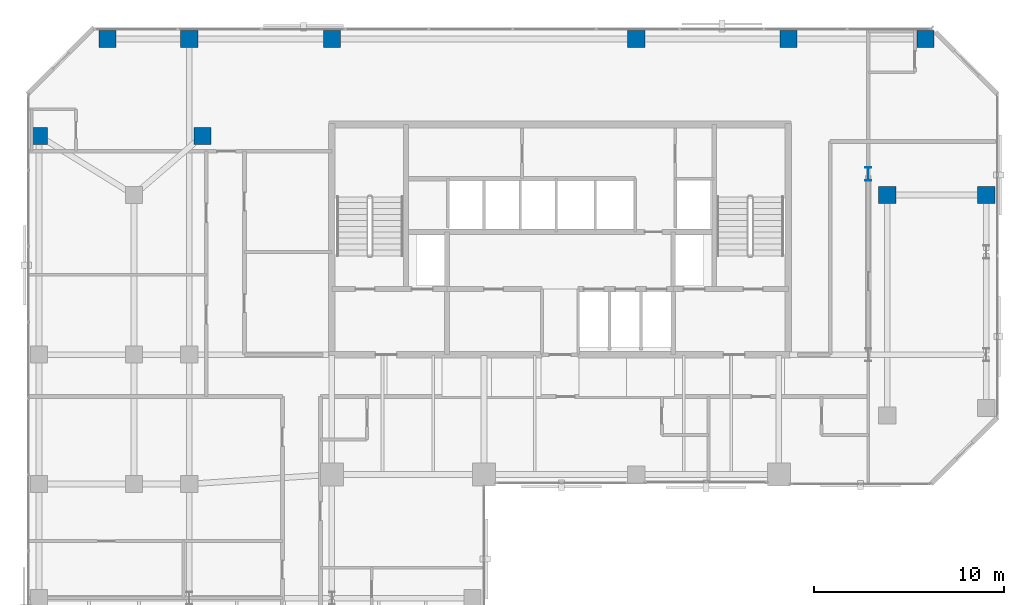
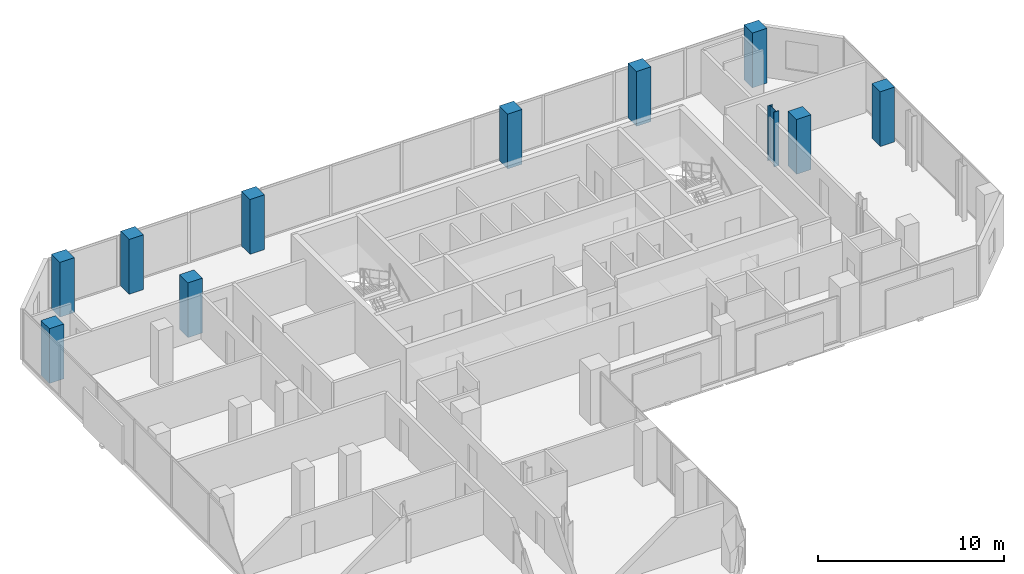
# One storey, part 2 of 33: 11 columns.
"""IFC4 building model written with IfcOpenShell, lengths in metres."""

from ifc_helpers import new_model, si_unit, direction, frame, origin, origin_2d, place, context, subcontext, project, spatial, rectangle, i_section, extrude, material, material_profile, profile_set, type_object, element, save


model = new_model("IFC4")

# Units and contexts
model_context = context("Model", 3, precision=1e-05, world=origin(), true_north=direction((0.0, 1.0)))
body_context = subcontext(model_context, "Body", "Model", "MODEL_VIEW")
ifc_project = project(units=[si_unit("LENGTHUNIT", "METRE"), si_unit("AREAUNIT", "SQUARE_METRE"), si_unit("VOLUMEUNIT", "CUBIC_METRE"), si_unit("PLANEANGLEUNIT", "RADIAN"), si_unit("MASSUNIT", "GRAM", prefix="KILO")], contexts=[model_context])

# Site, building, storey
site_placement = place(None, origin())
site = spatial("IfcSite", under=ifc_project, at=site_placement, CompositionType="ELEMENT")
building_placement = place(site_placement, origin())
building = spatial("IfcBuilding", under=site, at=building_placement, Name="Catumbela Crestline Tower", CompositionType="ELEMENT")
storey_placement = place(building_placement, frame((0.0, 0.0, 100.8)))
storey = spatial("IfcBuildingStorey", under=building, at=storey_placement, Name="L25", CompositionType="ELEMENT", Elevation=100.8)

# Columns
ifc_material_1 = material(Name="Concrete C50/60", Category="concrete")
ifc_material_profile_1 = material_profile(ifc_material_1, rectangle(XDim=0.9, YDim=0.9, at=origin_2d()), Name="RC 900x900")
ifc_profile_set_1 = profile_set([ifc_material_profile_1], Name="Concrete C50/60")
column_type_1 = type_object("IfcColumnType", Name="C-RC900-C50", PredefinedType="COLUMN", material=ifc_profile_set_1)
for number, where, z_axis, x_axis, name in (
    (1, (9.2, 42.3, 0.0), (0.0, 0.0, 1.0), (1.0, 0.0, 0.0), "L25 Column C-08-43 (RC 900x900)"),
    (2, (45.2, 39.2, 0.0), (0.0, 0.0, 1.0), (1.0, 0.0, 0.0), "L25 Column C-46-43 (RC 900x900)"),
    (3, (0.6, 42.3, 0.0), (0.0, 0.0, 1.0), (1.0, 0.0, 0.0), "L25 Column C-00-43 (RC 900x900)"),
    (4, (4.2, 47.4, 0.0), (0.0, 0.0, 1.0), (1.0, 0.0, 0.0), "L25 Column C-00-48 (RC 900x900)"),
    (5, (8.5, 47.4, 0.0), (0.0, 0.0, 1.0), (1.0, 0.0, 0.0), "L25 Column C-08-48 (RC 900x900)"),
    (6, (16.0, 47.4, 0.0), (0.0, 0.0, 1.0), (1.0, 0.0, 0.0), "L25 Column C-16-48 (RC 900x900)"),
    (7, (32.0, 47.4, 0.0), (0.0, 0.0, 1.0), (1.0, 0.0, 0.0), "L25 Column C-32-48 (RC 900x900)"),
    (8, (40.0, 47.4, 0.0), (0.0, 0.0, 1.0), (1.0, 0.0, 0.0), "L25 Column C-40-48 (RC 900x900)"),
    (9, (47.2, 47.4, 0.0), (0.0, 0.0, 1.0), (1.0, 0.0, 0.0), "L25 Column C-48-48 (RC 900x900)"),
    (10, (50.4, 39.2, 0.0), (0.0, 0.0, 1.0), (1.0, 0.0, 0.0), "L25 Column C-51-43 (RC 900x900)"),
):
    element("IfcColumn", number, at=place(storey_placement, frame(where, z_axis=z_axis, x_axis=x_axis)), inside=storey, type_object=column_type_1, Name=name, PredefinedType="COLUMN", context=body_context, shape_type="SweptSolid", body=[
        extrude(rectangle(XDim=0.9, YDim=0.9, at=origin_2d()), origin(), (0.0, 0.0, 1.0), 3.6),
    ])
ifc_material_2 = material(Name="Structural steel S460M", Category="steel")
ifc_material_profile_2 = material_profile(ifc_material_2, i_section(OverallWidth=0.3, OverallDepth=0.7, WebThickness=0.017, FlangeThickness=0.032, FilletRadius=0.027, at=origin_2d()), Name="HEB 700")
ifc_profile_set_2 = profile_set([ifc_material_profile_2], Name="Structural steel S460M")
column_type_2 = type_object("IfcColumnType", Name="C-ST-HEB700", PredefinedType="COLUMN", material=ifc_profile_set_2)
column_placement = place(storey_placement, frame((44.2, 40.3, 0.0), z_axis=(0.0, 0.0, 1.0), x_axis=(1.0, 0.0, 0.0)))
element("IfcColumn", 11, at=column_placement, inside=storey, type_object=column_type_2, Name="L25 Column CT-46-37 (HEB 700)", PredefinedType="COLUMN", context=body_context, shape_type="SweptSolid", body=[
    extrude(i_section(OverallWidth=0.3, OverallDepth=0.7, WebThickness=0.017, FlangeThickness=0.032, FilletRadius=0.027, at=origin_2d()), origin(), (0.0, 0.0, 1.0), 3.6),
])

save(model, "model.ifc")
